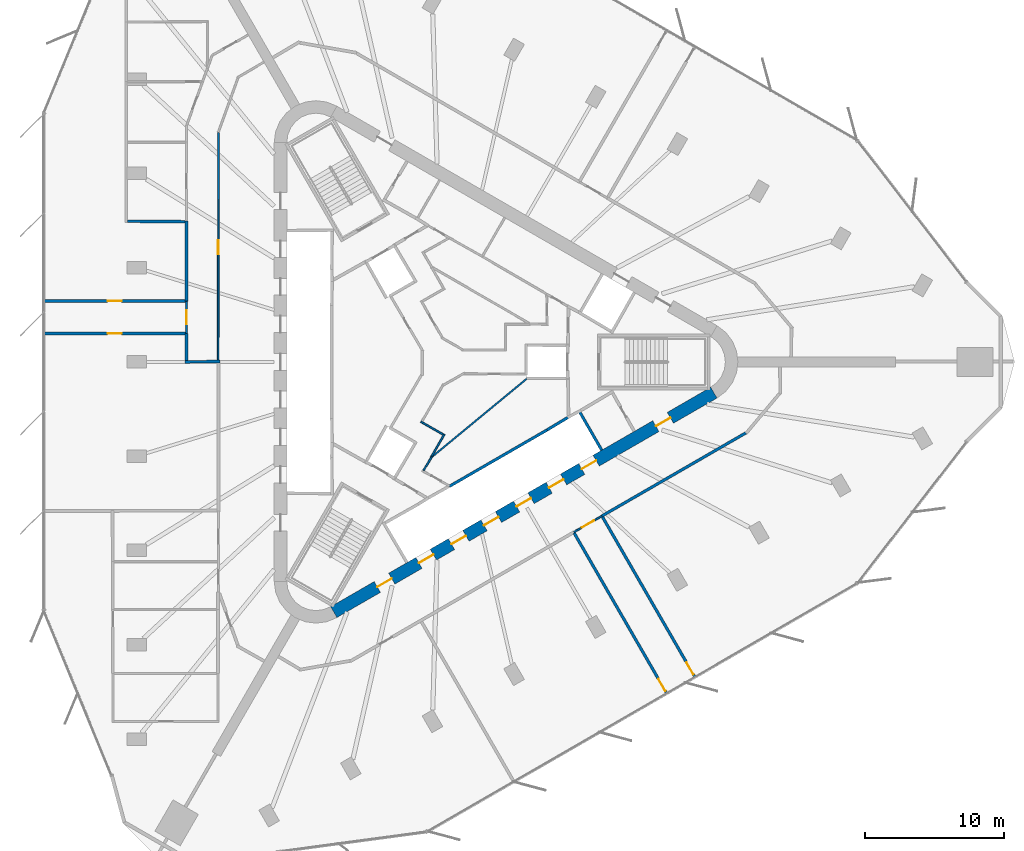
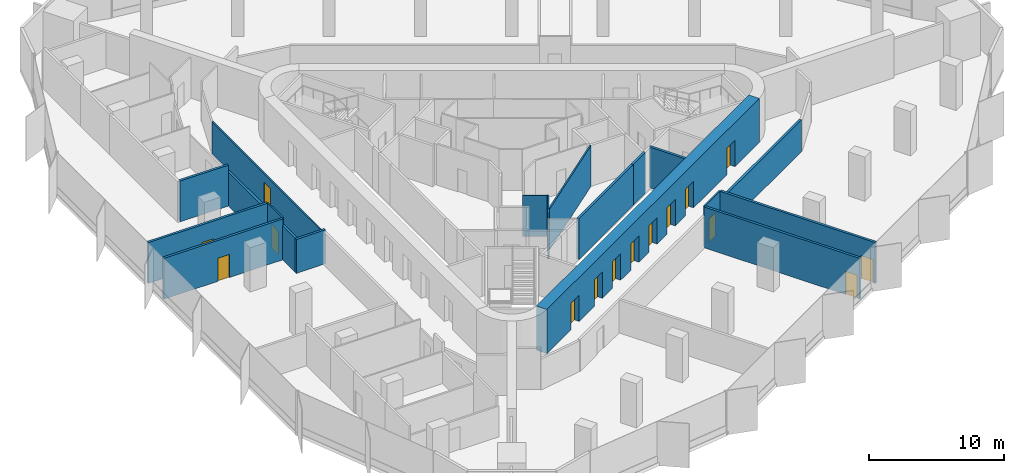
# One storey, part 9 of 14: 20 walls, 15 doors, 15 openings.
"""IFC4 building model written with IfcOpenShell, lengths in metres."""

from ifc_helpers import new_model, si_unit, direction, frame, frame_2d, origin, place, context, subcontext, project, spatial, rectangle, extrude, material, layer, layer_set, type_object, element, fill, save


model = new_model("IFC4")

# Units and contexts
model_context = context("Model", 3, precision=1e-05, world=origin(), true_north=direction((0.0, 1.0)))
body_context = subcontext(model_context, "Body", "Model", "MODEL_VIEW")
ifc_project = project(units=[si_unit("LENGTHUNIT", "METRE"), si_unit("AREAUNIT", "SQUARE_METRE"), si_unit("VOLUMEUNIT", "CUBIC_METRE"), si_unit("PLANEANGLEUNIT", "RADIAN"), si_unit("MASSUNIT", "GRAM", prefix="KILO")], contexts=[model_context])

# Site, building, storey
site_placement = place(None, origin())
site = spatial("IfcSite", under=ifc_project, at=site_placement, CompositionType="ELEMENT")
building_placement = place(site_placement, origin())
building = spatial("IfcBuilding", under=site, at=building_placement, Name="Tanit Gate Tower", CompositionType="ELEMENT")
storey_placement = place(building_placement, frame((0.0, 0.0, 233.199951171875)))
storey = spatial("IfcBuildingStorey", under=building, at=storey_placement, Name="L52", CompositionType="ELEMENT", Elevation=233.199951171875)

# Wall, openings, doors
ifc_material_1 = material(Name="Concrete C50/60", Category="concrete")
ifc_layer_1 = layer(ifc_material_1, 0.89990234375)
ifc_layer_set_1 = layer_set([ifc_layer_1], Name="CORE WALL 900 C50/60")
wall_type_1 = type_object("IfcWallType", Name="CORE WALL 900 C50/60", PredefinedType="SHEAR", material=ifc_layer_set_1)
wall_1_placement = place(storey_placement, frame((-7.824951171875, -17.969970703125, 0.0), z_axis=(0.0, 0.0, 1.0), x_axis=(0.866028369851, 0.499994862586, 0.0)))
wall_1 = element("IfcWall", 1, at=wall_1_placement, inside=storey, type_object=wall_type_1, Name="CORE WALL", PredefinedType="SHEAR", context=body_context, shape_type="SweptSolid", body=[
    extrude(rectangle(XDim=31.523193359375, YDim=0.89990234375, at=frame_2d((15.76171875, 0.0))), origin(), (0.0, 0.0, 1.0), 4.0),
])
opening_1_placement = place(wall_1_placement, frame((7.061767578125, 0.0, 0.0)))
opening_1 = element("IfcOpeningElement", 2, at=opening_1_placement, cuts=wall_1, Name="Opening LDSX1-S14", PredefinedType="OPENING", context=body_context, shape_type="SweptSolid", body=[
    extrude(rectangle(XDim=1.199951171875, YDim=2.39990234375, at=frame_2d((0.60009765625, 1.199951171875))), frame((0.0, 0.4599609375, 0.0), z_axis=(0.0, -1.0, 0.0), x_axis=(1.0, 0.0, 0.0)), (0.0, 0.0, 1.0), 0.919921875),
])
opening_2_placement = place(wall_1_placement, frame((9.76171875, 0.0, 0.0)))
opening_2 = element("IfcOpeningElement", 3, at=opening_2_placement, cuts=wall_1, Name="Opening LDSX2-S14", PredefinedType="OPENING", context=body_context, shape_type="SweptSolid", body=[
    extrude(rectangle(XDim=1.199951171875, YDim=2.39990234375, at=frame_2d((0.60009765625, 1.199951171875))), frame((0.0, 0.4599609375, 0.0), z_axis=(0.0, -1.0, 0.0), x_axis=(1.0, 0.0, 0.0)), (0.0, 0.0, 1.0), 0.919921875),
])
opening_3_placement = place(wall_1_placement, frame((12.461669921875, 0.0, 0.0)))
opening_3 = element("IfcOpeningElement", 4, at=opening_3_placement, cuts=wall_1, Name="Opening LDSX3-S14", PredefinedType="OPENING", context=body_context, shape_type="SweptSolid", body=[
    extrude(rectangle(XDim=1.199951171875, YDim=2.39990234375, at=frame_2d((0.60009765625, 1.199951171875))), frame((0.0, 0.4599609375, 0.0), z_axis=(0.0, -1.0, 0.0), x_axis=(1.0, 0.0, 0.0)), (0.0, 0.0, 1.0), 0.919921875),
])
opening_4_placement = place(wall_1_placement, frame((15.16162109375, 0.0, 0.0)))
opening_4 = element("IfcOpeningElement", 5, at=opening_4_placement, cuts=wall_1, Name="Opening LDSX4-S14", PredefinedType="OPENING", context=body_context, shape_type="SweptSolid", body=[
    extrude(rectangle(XDim=1.199951171875, YDim=2.39990234375, at=frame_2d((0.60009765625, 1.199951171875))), frame((0.0, 0.4599609375, 0.0), z_axis=(0.0, -1.0, 0.0), x_axis=(1.0, 0.0, 0.0)), (0.0, 0.0, 1.0), 0.919921875),
])
opening_5_placement = place(wall_1_placement, frame((17.861572265625, 0.0, 0.0)))
opening_5 = element("IfcOpeningElement", 6, at=opening_5_placement, cuts=wall_1, Name="Opening LDSV1-S14", PredefinedType="OPENING", context=body_context, shape_type="SweptSolid", body=[
    extrude(rectangle(XDim=1.199951171875, YDim=2.39990234375, at=frame_2d((0.60009765625, 1.199951171875))), frame((0.0, 0.4599609375, 0.0), z_axis=(0.0, -1.0, 0.0), x_axis=(1.0, 0.0, 0.0)), (0.0, 0.0, 1.0), 0.919921875),
])
opening_6_placement = place(wall_1_placement, frame((20.561767578125, 0.0, 0.0)))
opening_6 = element("IfcOpeningElement", 7, at=opening_6_placement, cuts=wall_1, Name="Opening LDSV2-S14", PredefinedType="OPENING", context=body_context, shape_type="SweptSolid", body=[
    extrude(rectangle(XDim=1.199951171875, YDim=2.39990234375, at=frame_2d((0.60009765625, 1.199951171875))), frame((0.0, 0.4599609375, 0.0), z_axis=(0.0, -1.0, 0.0), x_axis=(1.0, 0.0, 0.0)), (0.0, 0.0, 1.0), 0.919921875),
])
opening_7_placement = place(wall_1_placement, frame((26.711669921875, 0.0, 0.0)))
opening_7 = element("IfcOpeningElement", 8, at=opening_7_placement, cuts=wall_1, Name="Opening F12-S14-S1", PredefinedType="OPENING", context=body_context, shape_type="SweptSolid", body=[
    extrude(rectangle(XDim=1.199951171875, YDim=2.39990234375, at=frame_2d((0.60009765625, 1.199951171875))), frame((0.0, 0.4599609375, 0.0), z_axis=(0.0, -1.0, 0.0), x_axis=(1.0, 0.0, 0.0)), (0.0, 0.0, 1.0), 0.919921875),
])
opening_8_placement = place(wall_1_placement, frame((3.611572265625, 0.0, 0.0)))
opening_8 = element("IfcOpeningElement", 9, at=opening_8_placement, cuts=wall_1, Name="Opening F12-S14-FL3", PredefinedType="OPENING", context=body_context, shape_type="SweptSolid", body=[
    extrude(rectangle(XDim=1.199951171875, YDim=2.39990234375, at=frame_2d((0.60009765625, 1.199951171875))), frame((0.0, 0.4599609375, 0.0), z_axis=(0.0, -1.0, 0.0), x_axis=(1.0, 0.0, 0.0)), (0.0, 0.0, 1.0), 0.919921875),
])
ifc_material_2 = material(Name="Fire-rated steel door leaf", Category="steel")
door_type_1 = type_object("IfcDoorType", Name="INT-DOOR-FIRE-LOBBY-1200", OperationType="NOTDEFINED", PredefinedType="USERDEFINED", material=ifc_material_2)
door_1_placement = place(opening_7_placement, origin())
door_1 = element("IfcDoor", 10, at=door_1_placement, inside=storey, type_object=door_type_1, Name="Door F12-S14-S1", ObjectType="FIRE DOOR", OperationType="SINGLE_SWING_RIGHT", OverallHeight=2.39990234375, OverallWidth=1.199951171875, PredefinedType="USERDEFINED", context=body_context, shape_type="SweptSolid", body=[
    extrude(rectangle(XDim=1.199951171875, YDim=2.39990234375, at=frame_2d((0.60009765625, 1.199951171875))), frame((0.0, 0.02490234375, 0.0), z_axis=(0.0, -1.0, 0.0), x_axis=(1.0, 0.0, 0.0)), (0.0, 0.0, 1.0), 0.050048828125),
])
fill(opening_7, door_1)
door_2_placement = place(opening_8_placement, origin())
door_2 = element("IfcDoor", 11, at=door_2_placement, inside=storey, type_object=door_type_1, Name="Door F12-S14-FL3", ObjectType="FIRE DOOR", OperationType="SINGLE_SWING_RIGHT", OverallHeight=2.39990234375, OverallWidth=1.199951171875, PredefinedType="USERDEFINED", context=body_context, shape_type="SweptSolid", body=[
    extrude(rectangle(XDim=1.199951171875, YDim=2.39990234375, at=frame_2d((0.60009765625, 1.199951171875))), frame((0.0, 0.02490234375, 0.0), z_axis=(0.0, -1.0, 0.0), x_axis=(1.0, 0.0, 0.0)), (0.0, 0.0, 1.0), 0.050048828125),
])
fill(opening_8, door_2)
ifc_material_3 = material(Name="Stainless steel sliding door leaf", Category="steel")
door_type_2 = type_object("IfcDoorType", Name="INT-DOOR-LANDING-1200", OperationType="NOTDEFINED", PredefinedType="USERDEFINED", material=ifc_material_3)
door_3_placement = place(opening_1_placement, origin())
door_3 = element("IfcDoor", 12, at=door_3_placement, inside=storey, type_object=door_type_2, Name="Door LDSX1-S14", ObjectType="LANDING DOOR", OperationType="SLIDING_TO_LEFT", OverallHeight=2.39990234375, OverallWidth=1.199951171875, PredefinedType="USERDEFINED", context=body_context, shape_type="SweptSolid", body=[
    extrude(rectangle(XDim=1.199951171875, YDim=2.39990234375, at=frame_2d((0.60009765625, 1.199951171875))), frame((0.0, 0.02490234375, 0.0), z_axis=(0.0, -1.0, 0.0), x_axis=(1.0, 0.0, 0.0)), (0.0, 0.0, 1.0), 0.050048828125),
])
fill(opening_1, door_3)
door_4_placement = place(opening_2_placement, origin())
door_4 = element("IfcDoor", 13, at=door_4_placement, inside=storey, type_object=door_type_2, Name="Door LDSX2-S14", ObjectType="LANDING DOOR", OperationType="SLIDING_TO_LEFT", OverallHeight=2.39990234375, OverallWidth=1.199951171875, PredefinedType="USERDEFINED", context=body_context, shape_type="SweptSolid", body=[
    extrude(rectangle(XDim=1.199951171875, YDim=2.39990234375, at=frame_2d((0.60009765625, 1.199951171875))), frame((0.0, 0.02490234375, 0.0), z_axis=(0.0, -1.0, 0.0), x_axis=(1.0, 0.0, 0.0)), (0.0, 0.0, 1.0), 0.050048828125),
])
fill(opening_2, door_4)
door_5_placement = place(opening_3_placement, origin())
door_5 = element("IfcDoor", 14, at=door_5_placement, inside=storey, type_object=door_type_2, Name="Door LDSX3-S14", ObjectType="LANDING DOOR", OperationType="SLIDING_TO_LEFT", OverallHeight=2.39990234375, OverallWidth=1.199951171875, PredefinedType="USERDEFINED", context=body_context, shape_type="SweptSolid", body=[
    extrude(rectangle(XDim=1.199951171875, YDim=2.39990234375, at=frame_2d((0.60009765625, 1.199951171875))), frame((0.0, 0.02490234375, 0.0), z_axis=(0.0, -1.0, 0.0), x_axis=(1.0, 0.0, 0.0)), (0.0, 0.0, 1.0), 0.050048828125),
])
fill(opening_3, door_5)
door_6_placement = place(opening_4_placement, origin())
door_6 = element("IfcDoor", 15, at=door_6_placement, inside=storey, type_object=door_type_2, Name="Door LDSX4-S14", ObjectType="LANDING DOOR", OperationType="SLIDING_TO_LEFT", OverallHeight=2.39990234375, OverallWidth=1.199951171875, PredefinedType="USERDEFINED", context=body_context, shape_type="SweptSolid", body=[
    extrude(rectangle(XDim=1.199951171875, YDim=2.39990234375, at=frame_2d((0.60009765625, 1.199951171875))), frame((0.0, 0.02490234375, 0.0), z_axis=(0.0, -1.0, 0.0), x_axis=(1.0, 0.0, 0.0)), (0.0, 0.0, 1.0), 0.050048828125),
])
fill(opening_4, door_6)
door_7_placement = place(opening_5_placement, origin())
door_7 = element("IfcDoor", 16, at=door_7_placement, inside=storey, type_object=door_type_2, Name="Door LDSV1-S14", ObjectType="LANDING DOOR", OperationType="SLIDING_TO_LEFT", OverallHeight=2.39990234375, OverallWidth=1.199951171875, PredefinedType="USERDEFINED", context=body_context, shape_type="SweptSolid", body=[
    extrude(rectangle(XDim=1.199951171875, YDim=2.39990234375, at=frame_2d((0.60009765625, 1.199951171875))), frame((0.0, 0.02490234375, 0.0), z_axis=(0.0, -1.0, 0.0), x_axis=(1.0, 0.0, 0.0)), (0.0, 0.0, 1.0), 0.050048828125),
])
fill(opening_5, door_7)
door_8_placement = place(opening_6_placement, origin())
door_8 = element("IfcDoor", 17, at=door_8_placement, inside=storey, type_object=door_type_2, Name="Door LDSV2-S14", ObjectType="LANDING DOOR", OperationType="SLIDING_TO_LEFT", OverallHeight=2.39990234375, OverallWidth=1.199951171875, PredefinedType="USERDEFINED", context=body_context, shape_type="SweptSolid", body=[
    extrude(rectangle(XDim=1.199951171875, YDim=2.39990234375, at=frame_2d((0.60009765625, 1.199951171875))), frame((0.0, 0.02490234375, 0.0), z_axis=(0.0, -1.0, 0.0), x_axis=(1.0, 0.0, 0.0)), (0.0, 0.0, 1.0), 0.050048828125),
])
fill(opening_6, door_8)

# Walls
ifc_material_4 = material(Name="Fire-rated gypsum board partition")
ifc_layer_2 = layer(ifc_material_4, 0.199951171875)
ifc_layer_set_2 = layer_set([ifc_layer_2], Name="INT-WALL-COMPARTMENT")
wall_type_2 = type_object("IfcWallType", Name="INT-WALL-COMPARTMENT", PredefinedType="PARTITIONING", material=ifc_layer_set_2)
wall_2_placement = place(storey_placement, frame((-18.5, -0.001220703125, 0.0), z_axis=(0.0, 0.0, 1.0), x_axis=(0.999915662945, 0.012987185857, 0.0)))
element("IfcWall", 18, at=wall_2_placement, inside=storey, type_object=wall_type_2, Name="Wall Compartment W094", PredefinedType="PARTITIONING", context=body_context, shape_type="SweptSolid", body=[
    extrude(rectangle(XDim=2.500244140625, YDim=0.199951171875, at=frame_2d((1.25, 0.0))), origin(), (0.0, 0.0, 1.0), 3.070068359375),
])
wall_3_placement = place(storey_placement, frame((-18.39990234375, 10.1298828125, 0.0), z_axis=(0.0, 0.0, 1.0), x_axis=(0.0, -1.0, 0.0)))
element("IfcWall", 19, at=wall_3_placement, inside=storey, type_object=wall_type_2, Name="Wall Compartment W096", PredefinedType="PARTITIONING", context=body_context, shape_type="SweptSolid", body=[
    extrude(rectangle(XDim=5.77978515625, YDim=0.199951171875, at=frame_2d((2.889892578125, 0.0))), origin(), (0.0, 0.0, 1.0), 3.070068359375),
])
wall_4_placement = place(storey_placement, frame((-18.39990234375, 2.050048828125, 0.0), z_axis=(0.0, 0.0, 1.0), x_axis=(0.0, -1.0, 0.0)))
element("IfcWall", 20, at=wall_4_placement, inside=storey, type_object=wall_type_2, Name="Wall Compartment W095", PredefinedType="PARTITIONING", context=body_context, shape_type="SweptSolid", body=[
    extrude(rectangle(XDim=1.949951171875, YDim=0.199951171875, at=frame_2d((0.97509765625, 0.0))), origin(), (0.0, 0.0, 1.0), 3.070068359375),
])
wall_5_placement = place(storey_placement, frame((11.417236328125, -11.0751953125, 0.0), z_axis=(0.0, 0.0, 1.0), x_axis=(0.866027793211, 0.49999586137, 0.0)))
element("IfcWall", 21, at=wall_5_placement, inside=storey, type_object=wall_type_2, Name="Wall Compartment W118", PredefinedType="PARTITIONING", context=body_context, shape_type="SweptSolid", body=[
    extrude(rectangle(XDim=11.955078125, YDim=0.199951171875, at=frame_2d((5.9775390625, 0.0))), origin(), (0.0, 0.0, 1.0), 2.880126953125),
])

# Wall, opening, door
wall_6_placement = place(storey_placement, frame((-28.6552734375, 2.030029296875, 0.0), z_axis=(0.0, 0.0, 1.0), x_axis=(1.0, 0.0, 0.0)))
wall_6 = element("IfcWall", 22, at=wall_6_placement, inside=storey, type_object=wall_type_2, Name="Wall Compartment W123", PredefinedType="PARTITIONING", context=body_context, shape_type="SweptSolid", body=[
    extrude(rectangle(XDim=10.1953125, YDim=0.199951171875, at=frame_2d((5.09765625, 0.0))), origin(), (0.0, 0.0, 1.0), 3.699951171875),
])
opening_9_placement = place(wall_6_placement, frame((4.59765625, 0.0, 0.0)))
opening_9 = element("IfcOpeningElement", 23, at=opening_9_placement, cuts=wall_6, Name="Opening F10-S14-32", PredefinedType="OPENING", context=body_context, shape_type="SweptSolid", body=[
    extrude(rectangle(XDim=1.0, YDim=2.10009765625, at=frame_2d((0.5, 1.050048828125))), frame((0.0, 0.10986328125, 0.0), z_axis=(0.0, -1.0, 0.0), x_axis=(1.0, 0.0, 0.0)), (0.0, 0.0, 1.0), 0.219970703125),
])
ifc_material_5 = material(Name="Fire-rated steel door leaf", Category="steel")
door_type_3 = type_object("IfcDoorType", Name="INT-DOOR-FIRE-1000", OperationType="NOTDEFINED", PredefinedType="USERDEFINED", material=ifc_material_5)
door_9_placement = place(opening_9_placement, origin())
door_9 = element("IfcDoor", 24, at=door_9_placement, inside=storey, type_object=door_type_3, Name="Door F10-S14-32", ObjectType="FIRE DOOR", OperationType="SINGLE_SWING_LEFT", OverallHeight=2.10009765625, OverallWidth=1.0, PredefinedType="USERDEFINED", context=body_context, shape_type="SweptSolid", body=[
    extrude(rectangle(XDim=1.0, YDim=2.10009765625, at=frame_2d((0.5, 1.050048828125))), frame((0.0, 0.02490234375, 0.0), z_axis=(0.0, -1.0, 0.0), x_axis=(1.0, 0.0, 0.0)), (0.0, 0.0, 1.0), 0.050048828125),
])
fill(opening_9, door_9)

wall_7_placement = place(storey_placement, frame((-18.4599609375, 4.3701171875, 0.0), z_axis=(0.0, 0.0, 1.0), x_axis=(-1.0, 0.0, 0.0)))
wall_7 = element("IfcWall", 25, at=wall_7_placement, inside=storey, type_object=wall_type_2, Name="Wall Compartment W124", PredefinedType="PARTITIONING", context=body_context, shape_type="SweptSolid", body=[
    extrude(rectangle(XDim=10.195556640625, YDim=0.199951171875, at=frame_2d((5.09765625, 0.0))), origin(), (0.0, 0.0, 1.0), 3.699951171875),
])
opening_10_placement = place(wall_7_placement, frame((4.59765625, 0.0, 0.0)))
opening_10 = element("IfcOpeningElement", 26, at=opening_10_placement, cuts=wall_7, Name="Opening F10-S14-33", PredefinedType="OPENING", context=body_context, shape_type="SweptSolid", body=[
    extrude(rectangle(XDim=1.0, YDim=2.10009765625, at=frame_2d((0.5, 1.050048828125))), frame((0.0, 0.10986328125, 0.0), z_axis=(0.0, -1.0, 0.0), x_axis=(1.0, 0.0, 0.0)), (0.0, 0.0, 1.0), 0.219970703125),
])
door_10_placement = place(opening_10_placement, origin())
door_10 = element("IfcDoor", 27, at=door_10_placement, inside=storey, type_object=door_type_3, Name="Door F10-S14-33", ObjectType="FIRE DOOR", OperationType="SINGLE_SWING_LEFT", OverallHeight=2.10009765625, OverallWidth=1.0, PredefinedType="USERDEFINED", context=body_context, shape_type="SweptSolid", body=[
    extrude(rectangle(XDim=1.0, YDim=2.10009765625, at=frame_2d((0.5, 1.050048828125))), frame((0.0, 0.02490234375, 0.0), z_axis=(0.0, -1.0, 0.0), x_axis=(1.0, 0.0, 0.0)), (0.0, 0.0, 1.0), 0.050048828125),
])
fill(opening_10, door_10)

# Wall
wall_8_placement = place(storey_placement, frame((-22.6298828125, 10.099365234375, 0.0), z_axis=(0.0, 0.0, 1.0), x_axis=(0.999976081673, -0.006916363298, 0.0)))
element("IfcWall", 28, at=wall_8_placement, inside=storey, type_object=wall_type_2, Name="Wall Compartment W140", PredefinedType="PARTITIONING", context=body_context, shape_type="SweptSolid", body=[
    extrude(rectangle(XDim=4.1298828125, YDim=0.199951171875, at=frame_2d((2.06494140625, 0.0))), origin(), (0.0, 0.0, 1.0), 3.699951171875),
])

# Wall, opening, door
wall_9_placement = place(storey_placement, frame((18.11181640625, -22.630859375, 0.0), z_axis=(0.0, 0.0, 1.0), x_axis=(-0.499988448798, 0.866032072771, 0.0)))
wall_9 = element("IfcWall", 29, at=wall_9_placement, inside=storey, type_object=wall_type_2, Name="Wall Compartment W150", PredefinedType="PARTITIONING", context=body_context, shape_type="SweptSolid", body=[
    extrude(rectangle(XDim=13.294677734375, YDim=0.199951171875, at=frame_2d((6.6474609375, 0.0))), origin(), (0.0, 0.0, 1.0), 3.699951171875),
])
opening_11_placement = place(wall_9_placement, frame((0.199951171875, 0.0, 0.0)))
opening_11 = element("IfcOpeningElement", 30, at=opening_11_placement, cuts=wall_9, Name="Opening F10-S14-36", PredefinedType="OPENING", context=body_context, shape_type="SweptSolid", body=[
    extrude(rectangle(XDim=1.0, YDim=2.10009765625, at=frame_2d((0.5, 1.050048828125))), frame((0.0, 0.10986328125, 0.0), z_axis=(0.0, -1.0, 0.0), x_axis=(1.0, 0.0, 0.0)), (0.0, 0.0, 1.0), 0.219970703125),
])
door_11_placement = place(opening_11_placement, origin())
door_11 = element("IfcDoor", 31, at=door_11_placement, inside=storey, type_object=door_type_3, Name="Door F10-S14-36", ObjectType="FIRE DOOR", OperationType="SINGLE_SWING_LEFT", OverallHeight=2.10009765625, OverallWidth=1.0, PredefinedType="USERDEFINED", context=body_context, shape_type="SweptSolid", body=[
    extrude(rectangle(XDim=1.0, YDim=2.10009765625, at=frame_2d((0.5, 1.050048828125))), frame((0.0, 0.02490234375, 0.0), z_axis=(0.0, -1.0, 0.0), x_axis=(1.0, 0.0, 0.0)), (0.0, 0.0, 1.0), 0.050048828125),
])
fill(opening_11, door_11)

wall_10_placement = place(storey_placement, frame((9.43798828125, -12.287109375, 0.0), z_axis=(0.0, 0.0, 1.0), x_axis=(0.499994270035, -0.866028711956, 0.0)))
wall_10 = element("IfcWall", 32, at=wall_10_placement, inside=storey, type_object=wall_type_2, Name="Wall Compartment W151", PredefinedType="PARTITIONING", context=body_context, shape_type="SweptSolid", body=[
    extrude(rectangle(XDim=13.295166015625, YDim=0.199951171875, at=frame_2d((6.6474609375, 0.0))), origin(), (0.0, 0.0, 1.0), 3.699951171875),
])
opening_12_placement = place(wall_10_placement, frame((12.094970703125, 0.0, 0.0)))
opening_12 = element("IfcOpeningElement", 33, at=opening_12_placement, cuts=wall_10, Name="Opening F10-S14-37", PredefinedType="OPENING", context=body_context, shape_type="SweptSolid", body=[
    extrude(rectangle(XDim=1.0, YDim=2.10009765625, at=frame_2d((0.5, 1.050048828125))), frame((0.0, 0.10986328125, 0.0), z_axis=(0.0, -1.0, 0.0), x_axis=(1.0, 0.0, 0.0)), (0.0, 0.0, 1.0), 0.219970703125),
])
door_12_placement = place(opening_12_placement, origin())
door_12 = element("IfcDoor", 34, at=door_12_placement, inside=storey, type_object=door_type_3, Name="Door F10-S14-37", ObjectType="FIRE DOOR", OperationType="SINGLE_SWING_RIGHT", OverallHeight=2.10009765625, OverallWidth=1.0, PredefinedType="USERDEFINED", context=body_context, shape_type="SweptSolid", body=[
    extrude(rectangle(XDim=1.0, YDim=2.10009765625, at=frame_2d((0.5, 1.050048828125))), frame((0.0, 0.02490234375, 0.0), z_axis=(0.0, -1.0, 0.0), x_axis=(1.0, 0.0, 0.0)), (0.0, 0.0, 1.0), 0.050048828125),
])
fill(opening_12, door_12)

# Walls
ifc_material_6 = material(Name="Gypsum board partition")
ifc_layer_3 = layer(ifc_material_6, 0.1201171875)
ifc_layer_set_3 = layer_set([ifc_layer_3], Name="INT-WALL-PARTITION")
wall_type_3 = type_object("IfcWallType", Name="INT-WALL-PARTITION", PredefinedType="PARTITIONING", material=ifc_layer_set_3)
wall_11_placement = place(storey_placement, frame((6.04638671875, -1.199951171875, 0.0), z_axis=(0.0, 0.0, 1.0), x_axis=(-0.771489624803, -0.636241902755, 0.0)))
element("IfcWall", 35, at=wall_11_placement, inside=storey, type_object=wall_type_3, Name="Wall Partition W070", PredefinedType="PARTITIONING", context=body_context, shape_type="SweptSolid", body=[
    extrude(rectangle(XDim=8.960693359375, YDim=0.1201171875, at=frame_2d((4.48046875, 0.0))), origin(), (0.0, 0.0, 1.0), 3.699951171875),
])
wall_12_placement = place(storey_placement, frame((-0.78662109375, -6.8212890625, 0.0), z_axis=(0.0, 0.0, 1.0), x_axis=(-0.521033983049, -0.853535932758, 0.0)))
element("IfcWall", 36, at=wall_12_placement, inside=storey, type_object=wall_type_3, Name="Wall Partition W072", PredefinedType="PARTITIONING", context=body_context, shape_type="SweptSolid", body=[
    extrude(rectangle(XDim=1.1396484375, YDim=0.1201171875, at=frame_2d((0.56982421875, 0.0))), origin(), (0.0, 0.0, 1.0), 3.699951171875),
])
wall_13_placement = place(storey_placement, frame((0.1181640625, -5.195068359375, 0.0), z_axis=(0.0, 0.0, 1.0), x_axis=(-0.499969367985, -0.866043088465, 0.0)))
element("IfcWall", 37, at=wall_13_placement, inside=storey, type_object=wall_type_3, Name="Wall Partition W073", PredefinedType="PARTITIONING", context=body_context, shape_type="SweptSolid", body=[
    extrude(rectangle(XDim=1.93994140625, YDim=0.1201171875, at=frame_2d((0.969970703125, 0.0))), origin(), (0.0, 0.0, 1.0), 3.699951171875),
])
wall_14_placement = place(storey_placement, frame((-1.56591796875, -4.292236328125, 0.0), z_axis=(0.0, 0.0, 1.0), x_axis=(0.866091100096, -0.499886193382, 0.0)))
element("IfcWall", 38, at=wall_14_placement, inside=storey, type_object=wall_type_3, Name="Wall Partition W074", PredefinedType="PARTITIONING", context=body_context, shape_type="SweptSolid", body=[
    extrude(rectangle(XDim=1.85009765625, YDim=0.1201171875, at=frame_2d((0.925048828125, 0.0))), origin(), (0.0, 0.0, 1.0), 3.699951171875),
])

# Wall, opening, door
wall_15_placement = place(storey_placement, frame((-16.10009765625, 16.486328125, 0.0), z_axis=(0.0, 0.0, 1.0), x_axis=(-0.00180665503, -0.999998367997, 0.0)))
wall_15 = element("IfcWall", 39, at=wall_15_placement, inside=storey, type_object=wall_type_3, Name="Wall Partition W092", PredefinedType="PARTITIONING", context=body_context, shape_type="SweptSolid", body=[
    extrude(rectangle(XDim=16.486328125, YDim=0.1201171875, at=frame_2d((8.2431640625, 0.0))), origin(), (0.0, 0.0, 1.0), 2.880126953125),
])
opening_13_placement = place(wall_15_placement, frame((7.7431640625, 0.0, 0.0)))
opening_13 = element("IfcOpeningElement", 40, at=opening_13_placement, cuts=wall_15, Name="Opening D10-S14-19", PredefinedType="OPENING", context=body_context, shape_type="SweptSolid", body=[
    extrude(rectangle(XDim=1.0, YDim=2.10009765625, at=frame_2d((0.5, 1.050048828125))), frame((0.0, 0.070068359375, 0.0), z_axis=(0.0, -1.0, 0.0), x_axis=(1.0, 0.0, 0.0)), (0.0, 0.0, 1.0), 0.14013671875),
])
ifc_material_7 = material(Name="Timber door leaf", Category="wood")
door_type_4 = type_object("IfcDoorType", Name="INT-DOOR-SINGLE-1000", OperationType="NOTDEFINED", PredefinedType="NOTDEFINED", material=ifc_material_7)
door_13_placement = place(opening_13_placement, origin())
door_13 = element("IfcDoor", 41, at=door_13_placement, inside=storey, type_object=door_type_4, Name="Door D10-S14-19", OperationType="SINGLE_SWING_RIGHT", OverallHeight=2.10009765625, OverallWidth=1.0, PredefinedType="NOTDEFINED", context=body_context, shape_type="SweptSolid", body=[
    extrude(rectangle(XDim=1.0, YDim=2.10009765625, at=frame_2d((0.5, 1.050048828125))), frame((0.0, 0.02490234375, 0.0), z_axis=(0.0, -1.0, 0.0), x_axis=(1.0, 0.0, 0.0)), (0.0, 0.0, 1.0), 0.050048828125),
])
fill(opening_13, door_13)

wall_16_placement = place(storey_placement, frame((-18.39990234375, 4.35009765625, 0.0), z_axis=(0.0, 0.0, 1.0), x_axis=(0.0, -1.0, 0.0)))
wall_16 = element("IfcWall", 42, at=wall_16_placement, inside=storey, type_object=wall_type_3, Name="Wall Partition W093", PredefinedType="PARTITIONING", context=body_context, shape_type="SweptSolid", body=[
    extrude(rectangle(XDim=2.300048828125, YDim=0.1201171875, at=frame_2d((1.14990234375, 0.0))), origin(), (0.0, 0.0, 1.0), 3.699951171875),
])
opening_14_placement = place(wall_16_placement, frame((0.64990234375, 0.0, 0.0)))
opening_14 = element("IfcOpeningElement", 43, at=opening_14_placement, cuts=wall_16, Name="Opening D10-S14-20", PredefinedType="OPENING", context=body_context, shape_type="SweptSolid", body=[
    extrude(rectangle(XDim=1.0, YDim=2.10009765625, at=frame_2d((0.5, 1.050048828125))), frame((0.0, 0.070068359375, 0.0), z_axis=(0.0, -1.0, 0.0), x_axis=(1.0, 0.0, 0.0)), (0.0, 0.0, 1.0), 0.14013671875),
])
door_14_placement = place(opening_14_placement, origin())
door_14 = element("IfcDoor", 44, at=door_14_placement, inside=storey, type_object=door_type_4, Name="Door D10-S14-20", OperationType="SINGLE_SWING_RIGHT", OverallHeight=2.10009765625, OverallWidth=1.0, PredefinedType="NOTDEFINED", context=body_context, shape_type="SweptSolid", body=[
    extrude(rectangle(XDim=1.0, YDim=2.10009765625, at=frame_2d((0.5, 1.050048828125))), frame((0.0, 0.02490234375, 0.0), z_axis=(0.0, -1.0, 0.0), x_axis=(1.0, 0.0, 0.0)), (0.0, 0.0, 1.0), 0.050048828125),
])
fill(opening_14, door_14)

wall_17_placement = place(storey_placement, frame((9.42529296875, -12.22509765625, 0.0), z_axis=(0.0, 0.0, 1.0), x_axis=(0.866053019151, 0.499952165731, 0.0)))
wall_17 = element("IfcWall", 45, at=wall_17_placement, inside=storey, type_object=wall_type_3, Name="Wall Partition W115", PredefinedType="PARTITIONING", context=body_context, shape_type="SweptSolid", body=[
    extrude(rectangle(XDim=2.300048828125, YDim=0.1201171875, at=frame_2d((1.14990234375, 0.0))), origin(), (0.0, 0.0, 1.0), 3.699951171875),
])
opening_15_placement = place(wall_17_placement, frame((0.64990234375, 0.0, 0.0)))
opening_15 = element("IfcOpeningElement", 46, at=opening_15_placement, cuts=wall_17, Name="Opening D10-S14-22", PredefinedType="OPENING", context=body_context, shape_type="SweptSolid", body=[
    extrude(rectangle(XDim=1.0, YDim=2.10009765625, at=frame_2d((0.5, 1.050048828125))), frame((0.0, 0.070068359375, 0.0), z_axis=(0.0, -1.0, 0.0), x_axis=(1.0, 0.0, 0.0)), (0.0, 0.0, 1.0), 0.14013671875),
])
door_15_placement = place(opening_15_placement, origin())
door_15 = element("IfcDoor", 47, at=door_15_placement, inside=storey, type_object=door_type_4, Name="Door D10-S14-22", OperationType="SINGLE_SWING_LEFT", OverallHeight=2.10009765625, OverallWidth=1.0, PredefinedType="NOTDEFINED", context=body_context, shape_type="SweptSolid", body=[
    extrude(rectangle(XDim=1.0, YDim=2.10009765625, at=frame_2d((0.5, 1.050048828125))), frame((0.0, 0.02490234375, 0.0), z_axis=(0.0, -1.0, 0.0), x_axis=(1.0, 0.0, 0.0)), (0.0, 0.0, 1.0), 0.050048828125),
])
fill(opening_15, door_15)

# Walls
ifc_material_8 = material(Name="Gypsum shaft wall system")
ifc_layer_4 = layer(ifc_material_8, 0.199951171875)
ifc_layer_set_4 = layer_set([ifc_layer_4], Name="INT-WALL-SHAFT")
wall_type_4 = type_object("IfcWallType", Name="INT-WALL-SHAFT", PredefinedType="PLUMBINGWALL", material=ifc_layer_set_4)
wall_18_placement = place(storey_placement, frame((0.482666015625, -8.935791015625, 0.0), z_axis=(0.0, 0.0, 1.0), x_axis=(0.866030989016, 0.499990325971, 0.0)))
element("IfcWall", 48, at=wall_18_placement, inside=storey, type_object=wall_type_4, Name="Wall Shaft W023", PredefinedType="PLUMBINGWALL", context=body_context, shape_type="SweptSolid", body=[
    extrude(rectangle(XDim=8.099853515625, YDim=0.199951171875, at=frame_2d((4.0498046875, 0.0))), origin(), (0.0, 0.0, 1.0), 3.699951171875),
])
wall_19_placement = place(storey_placement, frame((9.794677734375, -3.52490234375, 0.0), z_axis=(0.0, 0.0, 1.0), x_axis=(0.499984717929, -0.866034226713, 0.0)))
element("IfcWall", 49, at=wall_19_placement, inside=storey, type_object=wall_type_4, Name="Wall Shaft W016", PredefinedType="PLUMBINGWALL", context=body_context, shape_type="SweptSolid", body=[
    extrude(rectangle(XDim=3.25, YDim=0.199951171875, at=frame_2d((1.625, 0.0))), origin(), (0.0, 0.0, 1.0), 3.699951171875),
])
wall_20_placement = place(storey_placement, frame((7.497314453125, -4.885986328125, 0.0), z_axis=(0.0, 0.0, 1.0), x_axis=(0.857516281273, 0.51445682749, 0.0)))
element("IfcWall", 50, at=wall_20_placement, inside=storey, type_object=wall_type_4, Name="Wall Shaft W018", PredefinedType="PLUMBINGWALL", context=body_context, shape_type="SweptSolid", body=[
    extrude(rectangle(XDim=1.8447265625, YDim=0.199951171875, at=frame_2d((0.92236328125, 0.0))), origin(), (0.0, 0.0, 1.0), 3.699951171875),
])

save(model, "model.ifc")
